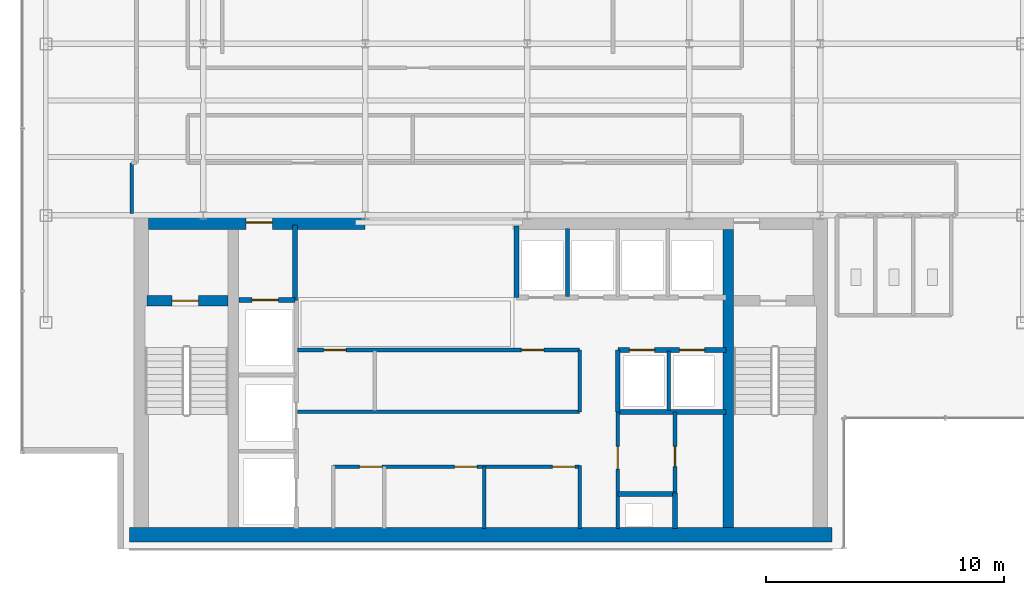
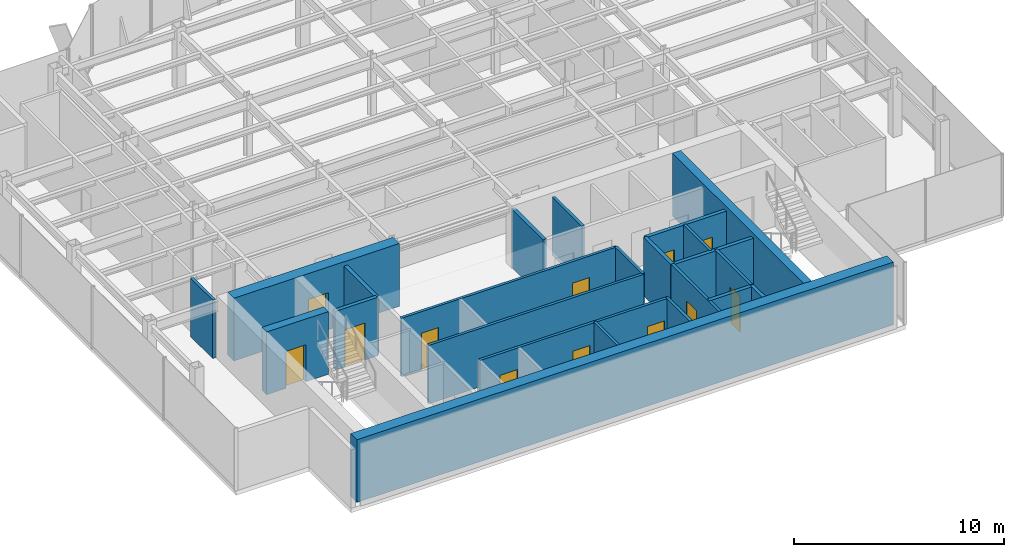
# One storey, part 17 of 22: 23 walls, 12 doors, 12 openings.
"""IFC4 building model written with IfcOpenShell, lengths in metres."""

from ifc_helpers import new_model, si_unit, derived_unit, direction, frame, frame_2d, origin, place, context, subcontext, project, spatial, rectangle, extrude, source, transform, mapped, material, layer, layer_set, type_object, element, fill, save


model = new_model("IFC4")

# Units and contexts
model_context = context("Model", 3, precision=1e-05, world=origin(), true_north=direction((0.0, 1.0)))
body_context = subcontext(model_context, "Body", "Model", "MODEL_VIEW")
ifc_project = project(units=[si_unit("LENGTHUNIT", "METRE"), si_unit("AREAUNIT", "SQUARE_METRE"), si_unit("VOLUMEUNIT", "CUBIC_METRE"), si_unit("PLANEANGLEUNIT", "RADIAN"), si_unit("MASSUNIT", "GRAM", prefix="KILO"), derived_unit("THERMALTRANSMITTANCEUNIT", [(si_unit("POWERUNIT", "WATT"), 1), (si_unit("LENGTHUNIT", "METRE"), -2), (si_unit("THERMODYNAMICTEMPERATUREUNIT", "KELVIN"), -1)])], contexts=[model_context])

# Site, building, storey
site_placement = place(None, origin())
site = spatial("IfcSite", under=ifc_project, at=site_placement, CompositionType="ELEMENT")
building_placement = place(site_placement, origin())
building = spatial("IfcBuilding", under=site, at=building_placement, Name="Skarnbrae Concourse Arena and Tower", CompositionType="ELEMENT")
storey_placement = place(building_placement, frame((0.0, 0.0, 240.550048828125)))
storey = spatial("IfcBuildingStorey", under=building, at=storey_placement, Name="L62", CompositionType="ELEMENT", Elevation=240.550048828125)

# Wall, opening, door
ifc_material_1 = material(Name="Concrete 50 MPa (C50/60)", Category="concrete")
ifc_layer_1 = layer(ifc_material_1, 0.449951171875)
ifc_layer_set_1 = layer_set([ifc_layer_1], Name="Concrete 50 MPa (C50/60)")
wall_type_1 = type_object("IfcWallType", Name="WALL-CORE-450-C50", PredefinedType="SHEAR", material=ifc_layer_set_1)
shared_shape_1 = source(origin(), body_context, "Body", "SweptSolid", [
    extrude(rectangle(XDim=3.389892578125, YDim=0.449951171875, at=frame_2d((1.69482421875, 0.0))), origin(), (0.0, 0.0, 1.0), 3.64990234375),
])
wall_1_placement = place(storey_placement, frame((5.25, 10.419921875, 0.0), z_axis=(0.0, 0.0, 1.0), x_axis=(1.0, 0.0, 0.0)))
wall_1 = element("IfcWall", 1, at=wall_1_placement, inside=storey, type_object=wall_type_1, Name="L62 Rear core shear wall CW-ST1-N", PredefinedType="SHEAR", context=body_context, shape_type="MappedRepresentation", body=[
    mapped(shared_shape_1, transform((0.0, 0.0, 0.0))),
])
opening_1_placement = place(wall_1_placement, frame((1.050048828125, 0.0, 0.0)))
opening_1 = element("IfcOpeningElement", 2, at=opening_1_placement, cuts=wall_1, Name="Opening DT-03", PredefinedType="OPENING", context=body_context, shape_type="SweptSolid", body=[
    extrude(rectangle(XDim=1.10009765625, YDim=2.14990234375, at=frame_2d((0.550048828125, 1.074951171875))), frame((0.0, 0.23486328125, 0.0), z_axis=(0.0, -1.0, 0.0), x_axis=(1.0, 0.0, 0.0)), (0.0, 0.0, 1.0), 0.469970703125),
])
ifc_material_2 = material(Name="Steel CSA G40.21 350W", Category="steel")
door_type_1 = type_object("IfcDoorType", Name="DOOR-FIRE-1100-90M", OperationType="NOTDEFINED", PredefinedType="DOOR", material=ifc_material_2)
shared_shape_2 = source(origin(), body_context, "Body", "SweptSolid", [
    extrude(rectangle(XDim=1.10009765625, YDim=2.14990234375, at=frame_2d((0.550048828125, 1.074951171875))), frame((0.0, 0.02490234375, 0.0), z_axis=(0.0, -1.0, 0.0), x_axis=(1.0, 0.0, 0.0)), (0.0, 0.0, 1.0), 0.050048828125),
])
door_1_placement = place(opening_1_placement, frame((1.10009765625, 0.0, 0.0), z_axis=(0.0, 0.0, 1.0), x_axis=(-1.0, 0.0, 0.0)))
door_1 = element("IfcDoor", 3, at=door_1_placement, inside=storey, type_object=door_type_1, Name="D-1863 Stair ST-1 Door", OperationType="SINGLE_SWING_LEFT", OverallHeight=2.14990234375, OverallWidth=1.10009765625, PredefinedType="DOOR", context=body_context, shape_type="MappedRepresentation", body=[
    mapped(shared_shape_2, transform((0.0, 0.0, 0.0))),
])
fill(opening_1, door_1)

# Wall
ifc_layer_2 = layer(ifc_material_1, 0.60009765625)
ifc_layer_set_2 = layer_set([ifc_layer_2], Name="Concrete 50 MPa (C50/60)")
wall_type_2 = type_object("IfcWallType", Name="WALL-CORE-600-C50", PredefinedType="SHEAR", material=ifc_layer_set_2)
shared_shape_3 = source(origin(), body_context, "Body", "SweptSolid", [
    extrude(rectangle(XDim=29.5, YDim=0.60009765625, at=frame_2d((14.75, 0.0))), origin(), (0.0, 0.0, 1.0), 3.64990234375),
])
wall_2_placement = place(storey_placement, frame((4.5, 0.60009765625, 0.0), z_axis=(0.0, 0.0, 1.0), x_axis=(1.0, 0.0, 0.0)))
element("IfcWall", 4, at=wall_2_placement, inside=storey, type_object=wall_type_2, Name="L62 Rear core shear wall CW-S", PredefinedType="SHEAR", context=body_context, shape_type="MappedRepresentation", body=[
    mapped(shared_shape_3, transform((0.0, 0.0, 0.0))),
])

# Wall, opening, door
shared_shape_4 = source(origin(), body_context, "Body", "SweptSolid", [
    extrude(rectangle(XDim=9.099853515625, YDim=0.60009765625, at=frame_2d((4.5498046875, 0.0))), origin(), (0.0, 0.0, 1.0), 3.64990234375),
])
wall_3_placement = place(storey_placement, frame((5.300048828125, 13.699951171875, 0.0), z_axis=(0.0, 0.0, 1.0), x_axis=(1.0, 0.0, 0.0)))
wall_3 = element("IfcWall", 5, at=wall_3_placement, inside=storey, type_object=wall_type_2, Name="L62 Rear core shear wall CW-NW", PredefinedType="SHEAR", context=body_context, shape_type="MappedRepresentation", body=[
    mapped(shared_shape_4, transform((0.0, 0.0, 0.0))),
])
opening_2_placement = place(wall_3_placement, frame((4.10009765625, 0.0, 0.0)))
opening_2 = element("IfcOpeningElement", 6, at=opening_2_placement, cuts=wall_3, Name="Opening DT-03", PredefinedType="OPENING", context=body_context, shape_type="SweptSolid", body=[
    extrude(rectangle(XDim=1.10009765625, YDim=2.14990234375, at=frame_2d((0.550048828125, 1.074951171875))), frame((0.0, 0.31005859375, 0.0), z_axis=(0.0, -1.0, 0.0), x_axis=(1.0, 0.0, 0.0)), (0.0, 0.0, 1.0), 0.6201171875),
])
door_2_placement = place(opening_2_placement, origin())
door_2 = element("IfcDoor", 7, at=door_2_placement, inside=storey, type_object=door_type_1, Name="D-1865 Firefighting Lobby Exit Door", OperationType="SINGLE_SWING_RIGHT", OverallHeight=2.14990234375, OverallWidth=1.10009765625, PredefinedType="DOOR", context=body_context, shape_type="MappedRepresentation", body=[
    mapped(shared_shape_2, transform((0.0, 0.0, 0.0))),
])
fill(opening_2, door_2)

# Walls
shared_shape_5 = source(origin(), body_context, "Body", "SweptSolid", [
    extrude(rectangle(XDim=12.5, YDim=0.449951171875, at=frame_2d((6.25, 0.0))), origin(), (0.0, 0.0, 1.0), 3.64990234375),
])
wall_4_placement = place(storey_placement, frame((29.635009765625, 0.89990234375, 0.0), z_axis=(0.0, 0.0, 1.0), x_axis=(0.0, 1.0, 0.0)))
element("IfcWall", 8, at=wall_4_placement, inside=storey, type_object=wall_type_1, Name="L62 Rear core shear wall CW-WEB-E", PredefinedType="SHEAR", context=body_context, shape_type="MappedRepresentation", body=[
    mapped(shared_shape_5, transform((0.0, 0.0, 0.0))),
])
ifc_material_3 = material(Name="Gypsum board on cold-formed steel studs", Category="steel")
ifc_layer_3 = layer(ifc_material_3, 0.199951171875)
ifc_layer_set_3 = layer_set([ifc_layer_3], Name="Gypsum board on cold-formed steel studs")
wall_type_3 = type_object("IfcWallType", Name="WALL-PART-200-2HR", PredefinedType="PARTITIONING", material=ifc_layer_set_3)
shared_shape_6 = source(origin(), body_context, "Body", "SweptSolid", [
    extrude(rectangle(XDim=3.18017578125, YDim=0.199951171875, at=frame_2d((1.590087890625, 0.0))), origin(), (0.0, 0.0, 1.0), 3.39990234375),
])
wall_5_placement = place(storey_placement, frame((11.449951171875, 10.419921875, 0.0), z_axis=(0.0, 0.0, 1.0), x_axis=(0.0, 1.0, 0.0)))
element("IfcWall", 9, at=wall_5_placement, inside=storey, type_object=wall_type_3, Name="L62 Interior partition wall W-L62-FFL-E", PredefinedType="PARTITIONING", context=body_context, shape_type="MappedRepresentation", body=[
    mapped(shared_shape_6, transform((0.0, 0.0, 0.0))),
])

# Wall, opening, door
shared_shape_7 = source(origin(), body_context, "Body", "SweptSolid", [
    extrude(rectangle(XDim=2.349853515625, YDim=0.199951171875, at=frame_2d((1.1748046875, 0.0))), origin(), (0.0, 0.0, 1.0), 3.39990234375),
])
wall_6_placement = place(storey_placement, frame((9.10009765625, 10.449951171875, 0.0), z_axis=(0.0, 0.0, 1.0), x_axis=(1.0, 0.0, 0.0)))
wall_6 = element("IfcWall", 10, at=wall_6_placement, inside=storey, type_object=wall_type_3, Name="L62 Interior partition wall W-L62-FL1-N", PredefinedType="PARTITIONING", context=body_context, shape_type="MappedRepresentation", body=[
    mapped(shared_shape_7, transform((0.0, 0.0, 0.0))),
])
opening_3_placement = place(wall_6_placement, frame((0.550048828125, 0.0, 0.0)))
opening_3 = element("IfcOpeningElement", 11, at=opening_3_placement, cuts=wall_6, Name="Opening LD-01", PredefinedType="OPENING", context=body_context, shape_type="SweptSolid", body=[
    extrude(rectangle(XDim=1.10009765625, YDim=2.14990234375, at=frame_2d((0.550048828125, 1.074951171875))), frame((0.0, 0.10986328125, 0.0), z_axis=(0.0, -1.0, 0.0), x_axis=(1.0, 0.0, 0.0)), (0.0, 0.0, 1.0), 0.219970703125),
])
door_type_2 = type_object("IfcDoorType", Name="DOOR-LIFT-SLIDE-1100", OperationType="SLIDING_TO_LEFT", PredefinedType="DOOR", material=ifc_material_2)
door_3_placement = place(opening_3_placement, origin())
door_3 = element("IfcDoor", 12, at=door_3_placement, inside=storey, type_object=door_type_2, Name="D-1867 Firefighting Lift Landing Door FL-01", OperationType="SLIDING_TO_LEFT", OverallHeight=2.14990234375, OverallWidth=1.10009765625, PredefinedType="DOOR", context=body_context, shape_type="MappedRepresentation", body=[
    mapped(shared_shape_2, transform((0.0, 0.0, 0.0))),
])
fill(opening_3, door_3)

# Walls
ifc_layer_4 = layer(ifc_material_3, 0.14990234375)
ifc_layer_set_4 = layer_set([ifc_layer_4], Name="Gypsum board on cold-formed steel studs")
wall_type_4 = type_object("IfcWallType", Name="WALL-PART-150", PredefinedType="PARTITIONING", material=ifc_layer_set_4)
shared_shape_8 = source(origin(), body_context, "Body", "SweptSolid", [
    extrude(rectangle(XDim=2.599853515625, YDim=0.14990234375, at=frame_2d((1.2998046875, 0.0))), origin(), (0.0, 0.0, 1.0), 3.39990234375),
])
wall_7_placement = place(storey_placement, frame((19.39990234375, 0.85009765625, 0.0), z_axis=(0.0, 0.0, 1.0), x_axis=(0.0, 1.0, 0.0)))
element("IfcWall", 13, at=wall_7_placement, inside=storey, type_object=wall_type_4, Name="L62 Interior partition wall W-L62-B1M-C2", PredefinedType="PARTITIONING", context=body_context, shape_type="MappedRepresentation", body=[
    mapped(shared_shape_8, transform((0.0, 0.0, 0.0))),
])
shared_shape_9 = source(origin(), body_context, "Body", "SweptSolid", [
    extrude(rectangle(XDim=2.60009765625, YDim=0.199951171875, at=frame_2d((1.300048828125, 0.0))), origin(), (0.0, 0.0, 1.0), 3.39990234375),
])
wall_8_placement = place(storey_placement, frame((25.0, 5.75, 0.0), z_axis=(0.0, 0.0, 1.0), x_axis=(0.0, 1.0, 0.0)))
element("IfcWall", 14, at=wall_8_placement, inside=storey, type_object=wall_type_3, Name="L62 Interior partition wall W-L62-B3S-W", PredefinedType="PARTITIONING", context=body_context, shape_type="MappedRepresentation", body=[
    mapped(shared_shape_9, transform((0.0, 0.0, 0.0))),
])
shared_shape_10 = source(origin(), body_context, "Body", "SweptSolid", [
    extrude(rectangle(XDim=2.5, YDim=0.14990234375, at=frame_2d((1.25, 0.0))), origin(), (0.0, 0.0, 1.0), 3.39990234375),
])
wall_9_placement = place(storey_placement, frame((27.139892578125, 5.800048828125, 0.0), z_axis=(0.0, 0.0, 1.0), x_axis=(0.0, 1.0, 0.0)))
element("IfcWall", 15, at=wall_9_placement, inside=storey, type_object=wall_type_4, Name="L62 Interior partition wall W-L62-B3S-P1", PredefinedType="PARTITIONING", context=body_context, shape_type="MappedRepresentation", body=[
    mapped(shared_shape_10, transform((0.0, 0.0, 0.0))),
])
shared_shape_11 = source(origin(), body_context, "Body", "SweptSolid", [
    extrude(rectangle(XDim=3.0, YDim=0.199951171875, at=frame_2d((1.5, 0.0))), origin(), (0.0, 0.0, 1.0), 3.39990234375),
])
wall_10_placement = place(storey_placement, frame((20.75, 10.550048828125, 0.0), z_axis=(0.0, 0.0, 1.0), x_axis=(0.0, 1.0, 0.0)))
element("IfcWall", 16, at=wall_10_placement, inside=storey, type_object=wall_type_3, Name="L62 Interior partition wall W-L62-B3N-W", PredefinedType="PARTITIONING", context=body_context, shape_type="MappedRepresentation", body=[
    mapped(shared_shape_11, transform((0.0, 0.0, 0.0))),
])
shared_shape_12 = source(origin(), body_context, "Body", "SweptSolid", [
    extrude(rectangle(XDim=2.849853515625, YDim=0.14990234375, at=frame_2d((1.4248046875, 0.0))), origin(), (0.0, 0.0, 1.0), 3.39990234375),
])
wall_11_placement = place(storey_placement, frame((22.889892578125, 10.60009765625, 0.0), z_axis=(0.0, 0.0, 1.0), x_axis=(0.0, 1.0, 0.0)))
element("IfcWall", 17, at=wall_11_placement, inside=storey, type_object=wall_type_4, Name="L62 Interior partition wall W-L62-B3N-P1", PredefinedType="PARTITIONING", context=body_context, shape_type="MappedRepresentation", body=[
    mapped(shared_shape_12, transform((0.0, 0.0, 0.0))),
])

# Wall, openings, doors
shared_shape_13 = source(origin(), body_context, "Body", "SweptSolid", [
    extrude(rectangle(XDim=4.550048828125, YDim=0.199951171875, at=frame_2d((2.27490234375, 0.0))), origin(), (0.0, 0.0, 1.0), 3.39990234375),
])
wall_12_placement = place(storey_placement, frame((25.0, 8.35009765625, 0.0), z_axis=(0.0, 0.0, 1.0), x_axis=(1.0, 0.0, 0.0)))
wall_12 = element("IfcWall", 18, at=wall_12_placement, inside=storey, type_object=wall_type_3, Name="L62 Interior partition wall W-L62-B3S-N", PredefinedType="PARTITIONING", context=body_context, shape_type="MappedRepresentation", body=[
    mapped(shared_shape_13, transform((0.0, 0.0, 0.0))),
])
opening_4_placement = place(wall_12_placement, frame((0.5, 0.0, 0.0)))
opening_4 = element("IfcOpeningElement", 19, at=opening_4_placement, cuts=wall_12, Name="Opening LD-04", PredefinedType="OPENING", context=body_context, shape_type="SweptSolid", body=[
    extrude(rectangle(XDim=1.050048828125, YDim=2.14990234375, at=frame_2d((0.52490234375, 1.074951171875))), frame((0.0, 0.10986328125, 0.0), z_axis=(0.0, -1.0, 0.0), x_axis=(1.0, 0.0, 0.0)), (0.0, 0.0, 1.0), 0.219970703125),
])
opening_5_placement = place(wall_12_placement, frame((2.60009765625, 0.0, 0.0)))
opening_5 = element("IfcOpeningElement", 20, at=opening_5_placement, cuts=wall_12, Name="Opening LD-04", PredefinedType="OPENING", context=body_context, shape_type="SweptSolid", body=[
    extrude(rectangle(XDim=1.050048828125, YDim=2.14990234375, at=frame_2d((0.52490234375, 1.074951171875))), frame((0.0, 0.10986328125, 0.0), z_axis=(0.0, -1.0, 0.0), x_axis=(1.0, 0.0, 0.0)), (0.0, 0.0, 1.0), 0.219970703125),
])
ifc_material_4 = material(Name="Bronze anodised aluminium 6063-T6", Category="aluminium")
door_type_3 = type_object("IfcDoorType", Name="DOOR-LIFT-SLIDE-1050H", OperationType="SLIDING_TO_LEFT", PredefinedType="DOOR", material=ifc_material_4)
shared_shape_14 = source(origin(), body_context, "Body", "SweptSolid", [
    extrude(rectangle(XDim=1.050048828125, YDim=2.14990234375, at=frame_2d((0.52490234375, 1.074951171875))), frame((0.0, 0.02490234375, 0.0), z_axis=(0.0, -1.0, 0.0), x_axis=(1.0, 0.0, 0.0)), (0.0, 0.0, 1.0), 0.050048828125),
])
door_4_placement = place(opening_4_placement, origin())
door_4 = element("IfcDoor", 21, at=door_4_placement, inside=storey, type_object=door_type_3, Name="D-1879 Passenger Lift Landing Door PL-3E", OperationType="SLIDING_TO_LEFT", OverallHeight=2.14990234375, OverallWidth=1.050048828125, PredefinedType="DOOR", context=body_context, shape_type="MappedRepresentation", body=[
    mapped(shared_shape_14, transform((0.0, 0.0, 0.0))),
])
fill(opening_4, door_4)
door_5_placement = place(opening_5_placement, origin())
door_5 = element("IfcDoor", 22, at=door_5_placement, inside=storey, type_object=door_type_3, Name="D-1880 Passenger Lift Landing Door PL-3F", OperationType="SLIDING_TO_LEFT", OverallHeight=2.14990234375, OverallWidth=1.050048828125, PredefinedType="DOOR", context=body_context, shape_type="MappedRepresentation", body=[
    mapped(shared_shape_14, transform((0.0, 0.0, 0.0))),
])
fill(opening_5, door_5)

# Wall
wall_13_placement = place(storey_placement, frame((25.0, 5.75, 0.0), z_axis=(0.0, 0.0, 1.0), x_axis=(1.0, 0.0, 0.0)))
element("IfcWall", 23, at=wall_13_placement, inside=storey, type_object=wall_type_3, Name="L62 Interior partition wall W-L62-B3S-S", PredefinedType="PARTITIONING", context=body_context, shape_type="MappedRepresentation", body=[
    mapped(shared_shape_13, transform((0.0, 0.0, 0.0))),
])

# Wall, opening, door
ifc_layer_5 = layer(ifc_material_3, 0.14990234375)
ifc_layer_set_5 = layer_set([ifc_layer_5], Name="Gypsum board on cold-formed steel studs")
wall_type_5 = type_object("IfcWallType", Name="WALL-PART-150-1HR", PredefinedType="PARTITIONING", material=ifc_layer_set_5)
shared_shape_15 = source(origin(), body_context, "Body", "SweptSolid", [
    extrude(rectangle(XDim=4.89990234375, YDim=0.14990234375, at=frame_2d((2.449951171875, 0.0))), origin(), (0.0, 0.0, 1.0), 3.39990234375),
])
wall_14_placement = place(storey_placement, frame((25.0, 0.85009765625, 0.0), z_axis=(0.0, 0.0, 1.0), x_axis=(0.0, 1.0, 0.0)))
wall_14 = element("IfcWall", 24, at=wall_14_placement, inside=storey, type_object=wall_type_5, Name="L62 Interior partition wall W-L62-CSV-W", PredefinedType="PARTITIONING", context=body_context, shape_type="MappedRepresentation", body=[
    mapped(shared_shape_15, transform((0.0, 0.0, 0.0))),
])
opening_6_placement = place(wall_14_placement, frame((2.5, 0.0, 0.0)))
opening_6 = element("IfcOpeningElement", 25, at=opening_6_placement, cuts=wall_14, Name="Opening DT-04", PredefinedType="OPENING", context=body_context, shape_type="SweptSolid", body=[
    extrude(rectangle(XDim=0.949951171875, YDim=2.14990234375, at=frame_2d((0.47509765625, 1.074951171875))), frame((0.0, 0.0849609375, 0.0), z_axis=(0.0, -1.0, 0.0), x_axis=(1.0, 0.0, 0.0)), (0.0, 0.0, 1.0), 0.169921875),
])
door_type_4 = type_object("IfcDoorType", Name="DOOR-INT-950-45M", OperationType="NOTDEFINED", PredefinedType="DOOR", material=ifc_material_2)
shared_shape_16 = source(origin(), body_context, "Body", "SweptSolid", [
    extrude(rectangle(XDim=0.949951171875, YDim=2.14990234375, at=frame_2d((0.47509765625, 1.074951171875))), frame((0.0, 0.02490234375, 0.0), z_axis=(0.0, -1.0, 0.0), x_axis=(1.0, 0.0, 0.0)), (0.0, 0.0, 1.0), 0.050048828125),
])
door_6_placement = place(opening_6_placement, origin())
door_6 = element("IfcDoor", 26, at=door_6_placement, inside=storey, type_object=door_type_4, Name="D-1881 Core Pantry Door", OperationType="SINGLE_SWING_RIGHT", OverallHeight=2.14990234375, OverallWidth=0.949951171875, PredefinedType="DOOR", context=body_context, shape_type="MappedRepresentation", body=[
    mapped(shared_shape_16, transform((0.0, 0.0, 0.0))),
])
fill(opening_6, door_6)

# Walls
shared_shape_17 = source(origin(), body_context, "Body", "SweptSolid", [
    extrude(rectangle(XDim=2.39990234375, YDim=0.199951171875, at=frame_2d((1.199951171875, 0.0))), origin(), (0.0, 0.0, 1.0), 3.39990234375),
])
wall_15_placement = place(storey_placement, frame((25.0, 2.300048828125, 0.0), z_axis=(0.0, 0.0, 1.0), x_axis=(1.0, 0.0, 0.0)))
element("IfcWall", 27, at=wall_15_placement, inside=storey, type_object=wall_type_3, Name="L62 Interior partition wall W-L62-MEP-N", PredefinedType="PARTITIONING", context=body_context, shape_type="MappedRepresentation", body=[
    mapped(shared_shape_17, transform((0.0, 0.0, 0.0))),
])
shared_shape_18 = source(origin(), body_context, "Body", "SweptSolid", [
    extrude(rectangle(XDim=1.5, YDim=0.199951171875, at=frame_2d((0.75, 0.0))), origin(), (0.0, 0.0, 1.0), 3.39990234375),
])
wall_16_placement = place(storey_placement, frame((27.39990234375, 0.85009765625, 0.0), z_axis=(0.0, 0.0, 1.0), x_axis=(0.0, 1.0, 0.0)))
element("IfcWall", 28, at=wall_16_placement, inside=storey, type_object=wall_type_3, Name="L62 Interior partition wall W-L62-MEP-E", PredefinedType="PARTITIONING", context=body_context, shape_type="MappedRepresentation", body=[
    mapped(shared_shape_18, transform((0.0, 0.0, 0.0))),
])

# Wall, opening, door
shared_shape_19 = source(origin(), body_context, "Body", "SweptSolid", [
    extrude(rectangle(XDim=3.39990234375, YDim=0.14990234375, at=frame_2d((1.699951171875, 0.0))), origin(), (0.0, 0.0, 1.0), 3.39990234375),
])
wall_17_placement = place(storey_placement, frame((27.39990234375, 2.35009765625, 0.0), z_axis=(0.0, 0.0, 1.0), x_axis=(0.0, 1.0, 0.0)))
wall_17 = element("IfcWall", 29, at=wall_17_placement, inside=storey, type_object=wall_type_4, Name="L62 Interior partition wall W-L62-CSV-V", PredefinedType="PARTITIONING", context=body_context, shape_type="MappedRepresentation", body=[
    mapped(shared_shape_19, transform((0.0, 0.0, 0.0))),
])
opening_7_placement = place(wall_17_placement, frame((1.10009765625, 0.0, 0.0)))
opening_7 = element("IfcOpeningElement", 30, at=opening_7_placement, cuts=wall_17, Name="Opening DT-06", PredefinedType="OPENING", context=body_context, shape_type="SweptSolid", body=[
    extrude(rectangle(XDim=0.85009765625, YDim=2.10009765625, at=frame_2d((0.425048828125, 1.050048828125))), frame((0.0, 0.0849609375, 0.0), z_axis=(0.0, -1.0, 0.0), x_axis=(1.0, 0.0, 0.0)), (0.0, 0.0, 1.0), 0.169921875),
])
ifc_material_5 = material(Name="Architectural oak veneer timber leaf", Category="wood")
door_type_5 = type_object("IfcDoorType", Name="DOOR-INT-850", OperationType="NOTDEFINED", PredefinedType="DOOR", material=ifc_material_5)
shared_shape_20 = source(origin(), body_context, "Body", "SweptSolid", [
    extrude(rectangle(XDim=0.85009765625, YDim=2.10009765625, at=frame_2d((0.425048828125, 1.050048828125))), frame((0.0, 0.02490234375, 0.0), z_axis=(0.0, -1.0, 0.0), x_axis=(1.0, 0.0, 0.0)), (0.0, 0.0, 1.0), 0.050048828125),
])
door_7_placement = place(opening_7_placement, frame((0.85009765625, 0.0, 0.0), z_axis=(0.0, 0.0, 1.0), x_axis=(-1.0, 0.0, 0.0)))
door_7 = element("IfcDoor", 31, at=door_7_placement, inside=storey, type_object=door_type_5, Name="D-1882 Supply Cupboard Door", OperationType="SINGLE_SWING_LEFT", OverallHeight=2.10009765625, OverallWidth=0.85009765625, PredefinedType="DOOR", context=body_context, shape_type="MappedRepresentation", body=[
    mapped(shared_shape_20, transform((0.0, 0.0, 0.0))),
])
fill(opening_7, door_7)

# Wall
shared_shape_21 = source(origin(), body_context, "Body", "SweptSolid", [
    extrude(rectangle(XDim=2.64990234375, YDim=0.14990234375, at=frame_2d((1.324951171875, 0.0))), origin(), (0.0, 0.0, 1.0), 3.39990234375),
])
wall_18_placement = place(storey_placement, frame((23.39990234375, 0.85009765625, 0.0), z_axis=(0.0, 0.0, 1.0), x_axis=(0.0, 1.0, 0.0)))
element("IfcWall", 32, at=wall_18_placement, inside=storey, type_object=wall_type_5, Name="L62 Interior partition wall W-L62-B1M-E", PredefinedType="PARTITIONING", context=body_context, shape_type="MappedRepresentation", body=[
    mapped(shared_shape_21, transform((0.0, 0.0, 0.0))),
])

# Wall, openings, doors
shared_shape_22 = source(origin(), body_context, "Body", "SweptSolid", [
    extrude(rectangle(XDim=10.349853515625, YDim=0.14990234375, at=frame_2d((5.1748046875, 0.0))), origin(), (0.0, 0.0, 1.0), 3.39990234375),
])
wall_19_placement = place(storey_placement, frame((13.050048828125, 3.449951171875, 0.0), z_axis=(0.0, 0.0, 1.0), x_axis=(1.0, 0.0, 0.0)))
wall_19 = element("IfcWall", 33, at=wall_19_placement, inside=storey, type_object=wall_type_5, Name="L62 Interior partition wall W-L62-B1M-N", PredefinedType="PARTITIONING", context=body_context, shape_type="MappedRepresentation", body=[
    mapped(shared_shape_22, transform((0.0, 0.0, 0.0))),
])
opening_8_placement = place(wall_19_placement, frame((1.10009765625, 0.0, 0.0)))
opening_8 = element("IfcOpeningElement", 34, at=opening_8_placement, cuts=wall_19, Name="Opening DT-04", PredefinedType="OPENING", context=body_context, shape_type="SweptSolid", body=[
    extrude(rectangle(XDim=0.949951171875, YDim=2.14990234375, at=frame_2d((0.47509765625, 1.074951171875))), frame((0.0, 0.0849609375, 0.0), z_axis=(0.0, -1.0, 0.0), x_axis=(1.0, 0.0, 0.0)), (0.0, 0.0, 1.0), 0.169921875),
])
opening_9_placement = place(wall_19_placement, frame((5.10009765625, 0.0, 0.0)))
opening_9 = element("IfcOpeningElement", 35, at=opening_9_placement, cuts=wall_19, Name="Opening DT-04", PredefinedType="OPENING", context=body_context, shape_type="SweptSolid", body=[
    extrude(rectangle(XDim=0.949951171875, YDim=2.14990234375, at=frame_2d((0.47509765625, 1.074951171875))), frame((0.0, 0.0849609375, 0.0), z_axis=(0.0, -1.0, 0.0), x_axis=(1.0, 0.0, 0.0)), (0.0, 0.0, 1.0), 0.169921875),
])
opening_10_placement = place(wall_19_placement, frame((9.199951171875, 0.0, 0.0)))
opening_10 = element("IfcOpeningElement", 36, at=opening_10_placement, cuts=wall_19, Name="Opening DT-04", PredefinedType="OPENING", context=body_context, shape_type="SweptSolid", body=[
    extrude(rectangle(XDim=0.949951171875, YDim=2.14990234375, at=frame_2d((0.47509765625, 1.074951171875))), frame((0.0, 0.0849609375, 0.0), z_axis=(0.0, -1.0, 0.0), x_axis=(1.0, 0.0, 0.0)), (0.0, 0.0, 1.0), 0.169921875),
])
door_8_placement = place(opening_8_placement, origin())
door_8 = element("IfcDoor", 37, at=door_8_placement, inside=storey, type_object=door_type_4, Name="D-1870 Core Service Door 1", OperationType="SINGLE_SWING_LEFT", OverallHeight=2.14990234375, OverallWidth=0.949951171875, PredefinedType="DOOR", context=body_context, shape_type="MappedRepresentation", body=[
    mapped(shared_shape_16, transform((0.0, 0.0, 0.0))),
])
fill(opening_8, door_8)
door_9_placement = place(opening_9_placement, origin())
door_9 = element("IfcDoor", 38, at=door_9_placement, inside=storey, type_object=door_type_4, Name="D-1871 Core Service Door 2", OperationType="SINGLE_SWING_RIGHT", OverallHeight=2.14990234375, OverallWidth=0.949951171875, PredefinedType="DOOR", context=body_context, shape_type="MappedRepresentation", body=[
    mapped(shared_shape_16, transform((0.0, 0.0, 0.0))),
])
fill(opening_9, door_9)
door_10_placement = place(opening_10_placement, origin())
door_10 = element("IfcDoor", 39, at=door_10_placement, inside=storey, type_object=door_type_4, Name="D-1872 Core Service Door 3", OperationType="SINGLE_SWING_LEFT", OverallHeight=2.14990234375, OverallWidth=0.949951171875, PredefinedType="DOOR", context=body_context, shape_type="MappedRepresentation", body=[
    mapped(shared_shape_16, transform((0.0, 0.0, 0.0))),
])
fill(opening_10, door_10)

# Walls
shared_shape_23 = source(origin(), body_context, "Body", "SweptSolid", [
    extrude(rectangle(XDim=2.119873046875, YDim=0.14990234375, at=frame_2d((1.06005859375, 0.0))), origin(), (0.0, 0.0, 1.0), 3.39990234375),
])
wall_20_placement = place(storey_placement, frame((4.60009765625, 14.080078125, 0.0), z_axis=(0.0, 0.0, 1.0), x_axis=(0.0, 1.0, 0.0)))
element("IfcWall", 40, at=wall_20_placement, inside=storey, type_object=wall_type_5, Name="L62 Interior partition wall W-L62-COR-01", PredefinedType="PARTITIONING", context=body_context, shape_type="MappedRepresentation", body=[
    mapped(shared_shape_23, transform((0.0, 0.0, 0.0))),
])
shared_shape_24 = source(origin(), body_context, "Body", "SweptSolid", [
    extrude(rectangle(XDim=11.849853515625, YDim=0.14990234375, at=frame_2d((5.9248046875, 0.0))), origin(), (0.0, 0.0, 1.0), 3.39990234375),
])
wall_21_placement = place(storey_placement, frame((11.550048828125, 5.75, 0.0), z_axis=(0.0, 0.0, 1.0), x_axis=(1.0, 0.0, 0.0)))
element("IfcWall", 41, at=wall_21_placement, inside=storey, type_object=wall_type_5, Name="L62 Interior partition wall W-L62-B2M-S", PredefinedType="PARTITIONING", context=body_context, shape_type="MappedRepresentation", body=[
    mapped(shared_shape_24, transform((0.0, 0.0, 0.0))),
])

# Wall, openings, doors
wall_22_placement = place(storey_placement, frame((11.550048828125, 8.35009765625, 0.0), z_axis=(0.0, 0.0, 1.0), x_axis=(1.0, 0.0, 0.0)))
wall_22 = element("IfcWall", 42, at=wall_22_placement, inside=storey, type_object=wall_type_5, Name="L62 Interior partition wall W-L62-B2M-N", PredefinedType="PARTITIONING", context=body_context, shape_type="MappedRepresentation", body=[
    mapped(shared_shape_24, transform((0.0, 0.0, 0.0))),
])
opening_11_placement = place(wall_22_placement, frame((1.10009765625, 0.0, 0.0)))
opening_11 = element("IfcOpeningElement", 43, at=opening_11_placement, cuts=wall_22, Name="Opening DT-04", PredefinedType="OPENING", context=body_context, shape_type="SweptSolid", body=[
    extrude(rectangle(XDim=0.949951171875, YDim=2.14990234375, at=frame_2d((0.47509765625, 1.074951171875))), frame((0.0, 0.0849609375, 0.0), z_axis=(0.0, -1.0, 0.0), x_axis=(1.0, 0.0, 0.0)), (0.0, 0.0, 1.0), 0.169921875),
])
opening_12_placement = place(wall_22_placement, frame((9.39990234375, 0.0, 0.0)))
opening_12 = element("IfcOpeningElement", 44, at=opening_12_placement, cuts=wall_22, Name="Opening DT-04", PredefinedType="OPENING", context=body_context, shape_type="SweptSolid", body=[
    extrude(rectangle(XDim=0.949951171875, YDim=2.14990234375, at=frame_2d((0.47509765625, 1.074951171875))), frame((0.0, 0.0849609375, 0.0), z_axis=(0.0, -1.0, 0.0), x_axis=(1.0, 0.0, 0.0)), (0.0, 0.0, 1.0), 0.169921875),
])
door_11_placement = place(opening_11_placement, origin())
door_11 = element("IfcDoor", 45, at=door_11_placement, inside=storey, type_object=door_type_4, Name="D-1873 High-Zone Data Door", OperationType="SINGLE_SWING_RIGHT", OverallHeight=2.14990234375, OverallWidth=0.949951171875, PredefinedType="DOOR", context=body_context, shape_type="MappedRepresentation", body=[
    mapped(shared_shape_16, transform((0.0, 0.0, 0.0))),
])
fill(opening_11, door_11)
door_12_placement = place(opening_12_placement, origin())
door_12 = element("IfcDoor", 46, at=door_12_placement, inside=storey, type_object=door_type_4, Name="D-1874 Reprographics Door", OperationType="SINGLE_SWING_LEFT", OverallHeight=2.14990234375, OverallWidth=0.949951171875, PredefinedType="DOOR", context=body_context, shape_type="MappedRepresentation", body=[
    mapped(shared_shape_16, transform((0.0, 0.0, 0.0))),
])
fill(opening_12, door_12)

# Wall
shared_shape_25 = source(origin(), body_context, "Body", "SweptSolid", [
    extrude(rectangle(XDim=2.60009765625, YDim=0.14990234375, at=frame_2d((1.300048828125, 0.0))), origin(), (0.0, 0.0, 1.0), 3.39990234375),
])
wall_23_placement = place(storey_placement, frame((23.39990234375, 5.75, 0.0), z_axis=(0.0, 0.0, 1.0), x_axis=(0.0, 1.0, 0.0)))
element("IfcWall", 47, at=wall_23_placement, inside=storey, type_object=wall_type_5, Name="L62 Interior partition wall W-L62-B2M-E", PredefinedType="PARTITIONING", context=body_context, shape_type="MappedRepresentation", body=[
    mapped(shared_shape_25, transform((0.0, 0.0, 0.0))),
])

save(model, "model.ifc")
